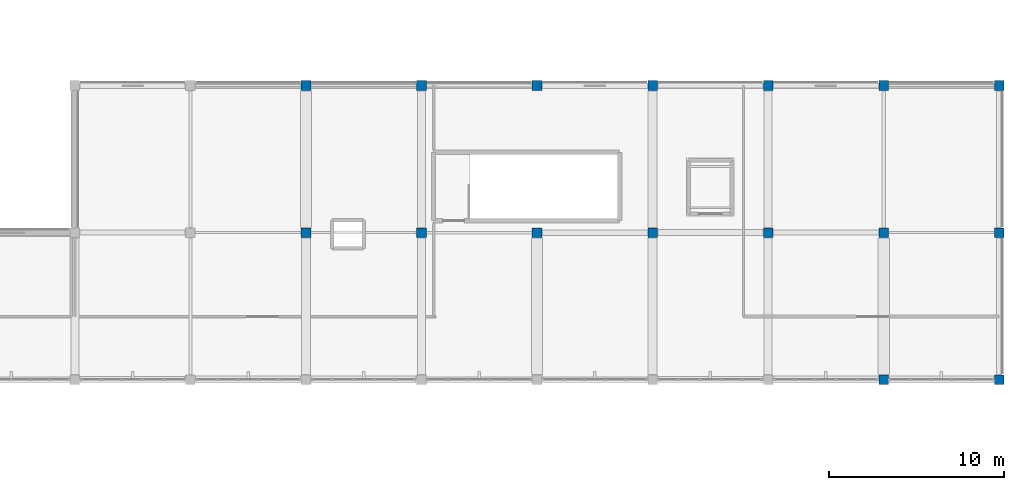
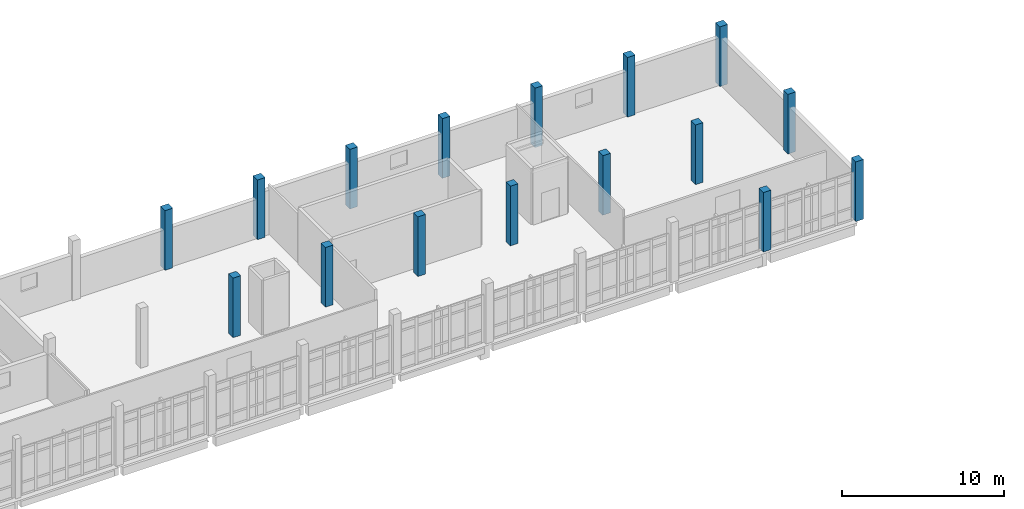
# One storey, part 8 of 134: 16 columns.
"""IFC4 building model written with IfcOpenShell, lengths in metres."""

import ifcopenshell
import ifcopenshell.guid

model = None  # the IFC model being written
_history = None  # IfcOwnerHistory: only IFC2X3 demands one
_inside = {}  # id of a spatial element -> (the spatial element, [elements in it])
_under = {}  # id of a project, library or spatial element -> (it, [spatial elements below it])
_declared = {}  # id of a project -> (the project, [libraries it declares])
_typed = {}  # id of a type object -> (the type object, [elements of that type])
_made_of = {}  # id of a material, layer set ... -> (it, [elements and type objects made of it])


def new_model(schema):
    """Start an empty IFC model of exactly this schema.

    Asked for "IFC4X3", IfcOpenShell would pick the latest addendum, in which some entities
    have other attributes; the version numbers below select the first issue.
    IFC2X3 requires an IfcOwnerHistory on every rooted entity: one is made here for all.
    """
    global model, _history
    if schema == "IFC4X3":
        model = ifcopenshell.file(schema_version=(4, 3, 0, 0))
    else:
        model = ifcopenshell.file(schema=schema)
    _inside.clear()
    _under.clear()
    _declared.clear()
    _typed.clear()
    _made_of.clear()
    _history = None
    if model.schema == "IFC2X3":
        org = make("IfcOrganization", Name="unknown")
        user = make(
            "IfcPersonAndOrganization",
            ThePerson=make("IfcPerson", FamilyName="unknown"),
            TheOrganization=org,
        )
        app = make(
            "IfcApplication",
            ApplicationDeveloper=org,
            Version="unknown",
            ApplicationFullName="unknown",
            ApplicationIdentifier="unknown",
        )
        _history = make(
            "IfcOwnerHistory",
            OwningUser=user,
            OwningApplication=app,
            ChangeAction="ADDED",
            CreationDate=0,
        )
    return model


def make(cls, **values):
    """One entity of the class cls with the attributes given. An attribute that is None is left unset."""
    return model.create_entity(
        cls, **{name: value for name, value in values.items() if value is not None}
    )


def rooted(cls, **values):
    """An entity with a GlobalId (a new one), such as an element, a storey or a relation."""
    return make(cls, GlobalId=ifcopenshell.guid.new(), OwnerHistory=_history, **values)


def si_unit(unit_type, name, prefix=None):
    """IfcSIUnit, for example si_unit("LENGTHUNIT", "METRE", prefix="MILLI")."""
    return make("IfcSIUnit", UnitType=unit_type, Prefix=prefix, Name=name)


def assignment(units):
    """IfcUnitAssignment: the units of a project."""
    return None if units is None else make("IfcUnitAssignment", Units=units)


def point(xyz):
    """IfcCartesianPoint."""
    return None if xyz is None else make("IfcCartesianPoint", Coordinates=xyz)


def direction(xyz):
    """IfcDirection."""
    return None if xyz is None else make("IfcDirection", DirectionRatios=xyz)


def frame(location, z_axis=None, x_axis=None):
    """IfcAxis2Placement3D, a coordinate frame: its origin and axes. An axis left out is left unset."""
    return make(
        "IfcAxis2Placement3D",
        Location=point(location),
        Axis=direction(z_axis),
        RefDirection=direction(x_axis),
    )


def frame_2d(location, x_axis=None):
    """IfcAxis2Placement2D, a coordinate frame in the plane: its origin and x axis."""
    return make(
        "IfcAxis2Placement2D", Location=point(location), RefDirection=direction(x_axis)
    )


def origin():
    """The frame at (0, 0, 0) with its axes left unset."""
    return frame((0.0, 0.0, 0.0))


def origin_2d():
    """The frame at (0, 0) in the plane with its x axis left unset."""
    return frame_2d((0.0, 0.0))


def place(relative_to, where):
    """IfcLocalPlacement: puts the frame where relative to a parent placement (None: the world)."""
    return make(
        "IfcLocalPlacement", PlacementRelTo=relative_to, RelativePlacement=where
    )


def context(
    kind, dimensions, precision=None, world=None, true_north=None, identifier=None
):
    """IfcGeometricRepresentationContext, for example the 3D "Model" context."""
    return make(
        "IfcGeometricRepresentationContext",
        ContextIdentifier=identifier,
        ContextType=kind,
        CoordinateSpaceDimension=dimensions,
        Precision=precision,
        WorldCoordinateSystem=world,
        TrueNorth=true_north,
    )


def subcontext(parent, identifier, kind, view, scale=None):
    """IfcGeometricRepresentationSubContext, for example "Body" below "Model"."""
    return make(
        "IfcGeometricRepresentationSubContext",
        ContextIdentifier=identifier,
        ContextType=kind,
        ParentContext=parent,
        TargetScale=scale,
        TargetView=view,
    )


def project(units=None, contexts=None):
    """IfcProject with its units and contexts."""
    return rooted(
        "IfcProject",
        Name="project",
        RepresentationContexts=contexts,
        UnitsInContext=assignment(units),
    )


def spatial(cls, under=None, at=None, **own):
    """A site, building, storey or space (cls), placed at a placement, below another one or the project."""
    s = rooted(cls, ObjectPlacement=at, **own)
    if under is not None:
        _under.setdefault(under.id(), (under, []))[1].append(s)
    return s


def profile(cls, at=None, kind="AREA", **sizes):
    """A parametric profile (cls). Its sizes go by their IFC names, for example OverallWidth=200.0."""
    return make(cls, ProfileType=kind, Position=at, **sizes)


def rectangle(**sizes):
    """IfcRectangleProfileDef."""
    return profile("IfcRectangleProfileDef", **sizes)


def extrude(swept, where, along, depth):
    """IfcExtrudedAreaSolid: the profile swept, set in the frame where, extruded along a direction by depth."""
    return make(
        "IfcExtrudedAreaSolid",
        SweptArea=swept,
        Position=where,
        ExtrudedDirection=direction(along),
        Depth=depth,
    )


def shape(context_of_items, identifier, shape_type, items):
    """IfcShapeRepresentation: the items that make up one representation, for example the "Body"."""
    return make(
        "IfcShapeRepresentation",
        ContextOfItems=context_of_items,
        RepresentationIdentifier=identifier,
        RepresentationType=shape_type,
        Items=items,
    )


def material(Name=None, Category=None):
    """IfcMaterial."""
    return make("IfcMaterial", Name=Name, Category=Category)


def material_profile(
    of_material, cross_section, Name=None, Category=None, Priority=None
):
    """IfcMaterialProfile: a cross section and its material."""
    return make(
        "IfcMaterialProfile",
        Name=Name,
        Material=of_material,
        Profile=cross_section,
        Priority=Priority,
        Category=Category,
    )


def profile_set(profiles, Name=None, composite=None):
    """IfcMaterialProfileSet."""
    return make(
        "IfcMaterialProfileSet",
        Name=Name,
        MaterialProfiles=profiles,
        CompositeProfile=composite,
    )


def made_of(thing, what):
    """Note that an element or type object is made of a material, layer set ...; save() writes the relation."""
    if what is not None:
        _made_of.setdefault(what.id(), (what, []))[1].append(thing)
    return thing


def type_object(cls, material=None, **own):
    """A type object (cls), such as IfcWallType, which elements share."""
    return made_of(rooted(cls, **own), material)


def element(
    cls,
    number,
    at=None,
    inside=None,
    cuts=None,
    type_object=None,
    material=None,
    context=None,
    identifier="Body",
    shape_type=None,
    held_by="IfcProductDefinitionShape",
    body=None,
    shapes=None,
    **own,
):
    """One element of the class cls, such as IfcWall. Its Tag is "e" and its number.

    at: its placement. inside: the storey or other place that contains it. cuts: it is an
    opening in that element (IfcRelVoidsElement). A single representation is given by context,
    identifier, shape_type and body (its items); several are given by shapes. held_by: the class
    of the entity that holds the representations. save() writes the other relations.
    """
    e = rooted(cls, Tag="e%d" % number, ObjectPlacement=at, **own)
    if body is not None:
        shapes = [shape(context, identifier, shape_type, body)]
    if shapes is not None:
        e.Representation = make(held_by, Representations=shapes)
    if inside is not None:
        _inside.setdefault(inside.id(), (inside, []))[1].append(e)
    if cuts is not None:
        rooted(
            "IfcRelVoidsElement", RelatingBuildingElement=cuts, RelatedOpeningElement=e
        )
    if type_object is not None:
        _typed.setdefault(type_object.id(), (type_object, []))[1].append(e)
    return made_of(e, material)


def aggregate(whole, parts):
    """IfcRelAggregates: a whole, such as a stair, and the parts it consists of."""
    return rooted("IfcRelAggregates", RelatingObject=whole, RelatedObjects=parts)


def save(model, path):
    """Write the relations noted so far, then the file.

    IfcRelAggregates (storeys below a building ...), IfcRelContainedInSpatialStructure (elements
    in a storey), IfcRelDefinesByType, IfcRelAssociatesMaterial and IfcRelDeclares: one each for
    every whole, place, type object, material and project.
    """
    for whole, parts in _under.values():
        aggregate(whole, parts)
    for where, things in _inside.values():
        rooted(
            "IfcRelContainedInSpatialStructure",
            RelatedElements=things,
            RelatingStructure=where,
        )
    for kind, things in _typed.values():
        rooted("IfcRelDefinesByType", RelatedObjects=things, RelatingType=kind)
    for what, things in _made_of.values():
        rooted("IfcRelAssociatesMaterial", RelatedObjects=things, RelatingMaterial=what)
    for by, libraries in _declared.values():
        rooted("IfcRelDeclares", RelatingContext=by, RelatedDefinitions=libraries)
    model.write(path)


model = new_model("IFC4")

# Units and contexts
model_context = context("Model", 3, precision=1e-05, world=origin(), true_north=direction((0.0, 1.0)))
body_context = subcontext(model_context, "Body", "Model", "MODEL_VIEW")
ifc_project = project(units=[si_unit("LENGTHUNIT", "METRE"), si_unit("AREAUNIT", "SQUARE_METRE"), si_unit("VOLUMEUNIT", "CUBIC_METRE"), si_unit("PLANEANGLEUNIT", "RADIAN"), si_unit("MASSUNIT", "GRAM", prefix="KILO")], contexts=[model_context])

# Site, building, storey
site_placement = place(None, origin())
site = spatial("IfcSite", under=ifc_project, at=site_placement, CompositionType="ELEMENT")
building_placement = place(site_placement, origin())
building = spatial("IfcBuilding", under=site, at=building_placement, Name="Kalluvel Institute of Natural Sciences", CompositionType="ELEMENT")
storey_placement = place(building_placement, frame((0.0, 0.0, 5.39990234375)))
storey = spatial("IfcBuildingStorey", under=building, at=storey_placement, Name="L01", CompositionType="ELEMENT", Elevation=5.39990234375)

# Columns
ifc_material = material(Name="Concrete M40", Category="concrete")
ifc_material_profile = material_profile(ifc_material, rectangle(XDim=0.550048828125, YDim=0.550048828125, at=origin_2d()), Name="RC 550x550")
ifc_profile_set = profile_set([ifc_material_profile], Name="Concrete M40")
column_type = type_object("IfcColumnType", Name="COL-RC550", PredefinedType="COLUMN", material=ifc_profile_set)
for number, where, z_axis, x_axis, name in (
    (1, (142.39990234375, 111.199951171875, 0.0), (0.0, 0.0, 1.0), (1.0, 0.0, 0.0), "L01 structural column COL-L01-X1424-Y1112"),
    (2, (142.39990234375, 119.60009765625, 0.0), (0.0, 0.0, 1.0), (1.0, 0.0, 0.0), "L01 structural column COL-L01-X1424-Y1196"),
    (3, (149.0, 111.199951171875, 0.0), (0.0, 0.0, 1.0), (1.0, 0.0, 0.0), "L01 structural column COL-L01-X1490-Y1112"),
    (4, (149.0, 119.60009765625, 0.0), (0.0, 0.0, 1.0), (1.0, 0.0, 0.0), "L01 structural column COL-L01-X1490-Y1196"),
    (5, (155.60009765625, 111.199951171875, 0.0), (0.0, 0.0, 1.0), (1.0, 0.0, 0.0), "L01 structural column COL-L01-X1556-Y1112"),
    (6, (155.60009765625, 119.60009765625, 0.0), (0.0, 0.0, 1.0), (1.0, 0.0, 0.0), "L01 structural column COL-L01-X1556-Y1196"),
    (7, (162.199951171875, 111.199951171875, 0.0), (0.0, 0.0, 1.0), (1.0, 0.0, 0.0), "L01 structural column COL-L01-X1622-Y1112"),
    (8, (162.199951171875, 119.60009765625, 0.0), (0.0, 0.0, 1.0), (1.0, 0.0, 0.0), "L01 structural column COL-L01-X1622-Y1196"),
    (9, (168.800048828125, 111.199951171875, 0.0), (0.0, 0.0, 1.0), (1.0, 0.0, 0.0), "L01 structural column COL-L01-X1688-Y1112"),
    (10, (168.800048828125, 119.60009765625, 0.0), (0.0, 0.0, 1.0), (1.0, 0.0, 0.0), "L01 structural column COL-L01-X1688-Y1196"),
    (11, (175.39990234375, 102.800048828125, 0.0), (0.0, 0.0, 1.0), (1.0, 0.0, 0.0), "L01 structural column COL-L01-X1754-Y1028"),
    (12, (175.39990234375, 111.199951171875, 0.0), (0.0, 0.0, 1.0), (1.0, 0.0, 0.0), "L01 structural column COL-L01-X1754-Y1112"),
    (13, (175.39990234375, 119.60009765625, 0.0), (0.0, 0.0, 1.0), (1.0, 0.0, 0.0), "L01 structural column COL-L01-X1754-Y1196"),
    (14, (182.0, 102.800048828125, 0.0), (0.0, 0.0, 1.0), (1.0, 0.0, 0.0), "L01 structural column COL-L01-X1820-Y1028"),
    (15, (182.0, 111.199951171875, 0.0), (0.0, 0.0, 1.0), (1.0, 0.0, 0.0), "L01 structural column COL-L01-X1820-Y1112"),
    (16, (182.0, 119.60009765625, 0.0), (0.0, 0.0, 1.0), (1.0, 0.0, 0.0), "L01 structural column COL-L01-X1820-Y1196"),
):
    element("IfcColumn", number, at=place(storey_placement, frame(where, z_axis=z_axis, x_axis=x_axis)), inside=storey, type_object=column_type, Name=name, PredefinedType="COLUMN", context=body_context, shape_type="SweptSolid", body=[
        extrude(rectangle(XDim=0.550048828125, YDim=0.550048828125, at=origin_2d()), origin(), (0.0, 0.0, 1.0), 4.5),
    ])

save(model, "model.ifc")
